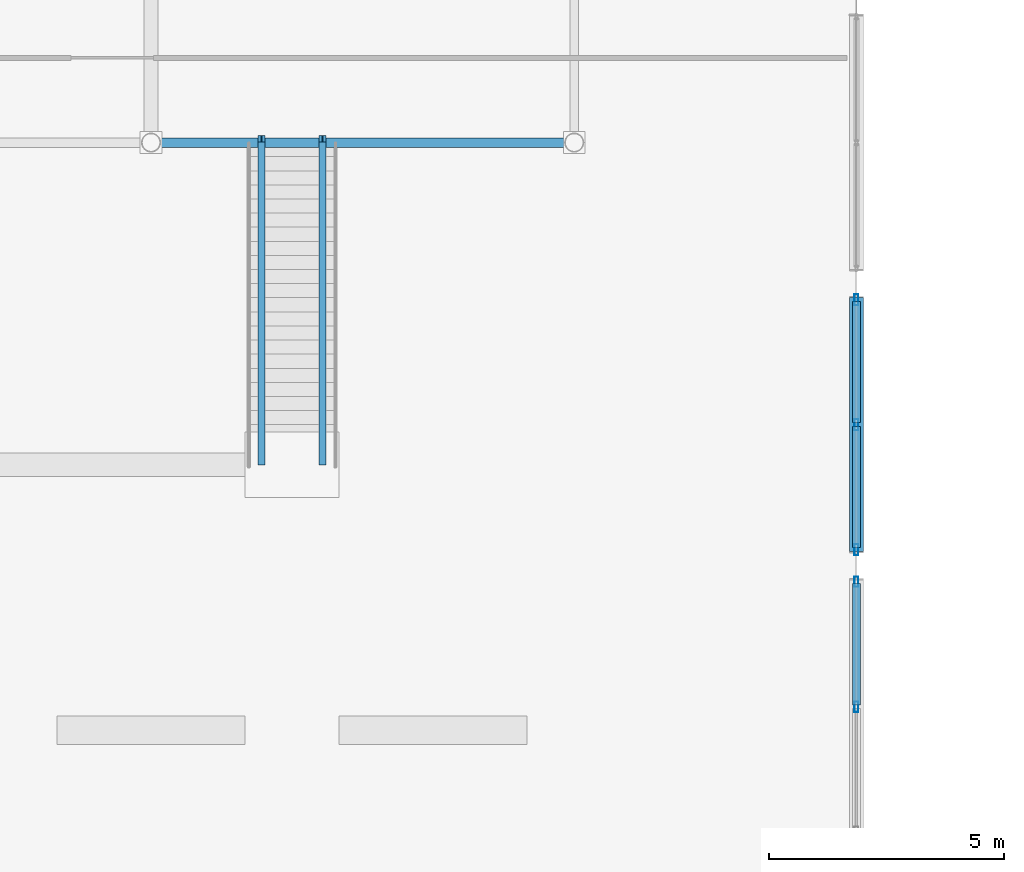
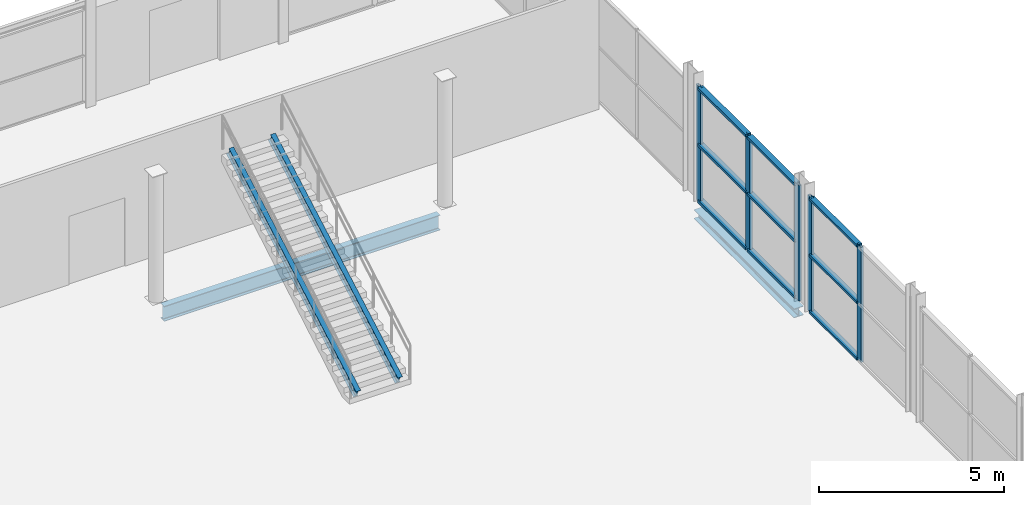
# One storey, part 35 of 140: 16 members, 2 beams, 2 elements without a shape of their own.
"""IFC4 building model written with IfcOpenShell, lengths in metres."""

from ifc_helpers import new_model, si_unit, direction, frame, origin, origin_2d, place, context, subcontext, project, spatial, hollow_rectangle, i_section, extrude, material, layer, layer_set, material_profile, profile_set, type_object, element, aggregate, save


model = new_model("IFC4")

# Units and contexts
model_context = context("Model", 3, precision=1e-05, world=origin(), true_north=direction((0.0, 1.0)))
body_context = subcontext(model_context, "Body", "Model", "MODEL_VIEW")
ifc_project = project(units=[si_unit("LENGTHUNIT", "METRE"), si_unit("AREAUNIT", "SQUARE_METRE"), si_unit("VOLUMEUNIT", "CUBIC_METRE"), si_unit("PLANEANGLEUNIT", "RADIAN"), si_unit("MASSUNIT", "GRAM", prefix="KILO")], contexts=[model_context])

# Site, building, storey
site_placement = place(None, origin())
site = spatial("IfcSite", under=ifc_project, at=site_placement, CompositionType="ELEMENT")
building_placement = place(site_placement, origin())
building = spatial("IfcBuilding", under=site, at=building_placement, Name="Deido Ridge Mobility Hub", CompositionType="ELEMENT")
storey_placement = place(building_placement, origin())
storey = spatial("IfcBuildingStorey", under=building, at=storey_placement, Name="L00", CompositionType="ELEMENT", Elevation=0.0)

# Beam
ifc_material_1 = material(Name="Steel S355J2 EN 10025-2", Category="steel")
ifc_material_profile_1 = material_profile(ifc_material_1, i_section(OverallWidth=0.199951171875, OverallDepth=0.5, WebThickness=0.01025390625, FlangeThickness=0.01611328125, FilletRadius=0.02099609375, at=origin_2d()), Name="IPE 500")
ifc_profile_set_1 = profile_set([ifc_material_profile_1], Name="Steel S355J2 EN 10025-2")
beam_type_1 = type_object("IfcBeamType", Name="BM-IPE500", PredefinedType="BEAM", material=ifc_profile_set_1)
beam_1_placement = place(storey_placement, frame((45.203125, 27.0, -0.510009765625), z_axis=(1.0, 0.0, 0.0), x_axis=(0.0, 1.0, 0.0)))
element("IfcBeam", 1, at=beam_1_placement, inside=storey, type_object=beam_type_1, Name="Floor beam B3", PredefinedType="BEAM", context=body_context, shape_type="SweptSolid", body=[
    extrude(i_section(OverallWidth=0.199951171875, OverallDepth=0.5, WebThickness=0.01025390625, FlangeThickness=0.01611328125, FilletRadius=0.02099609375, at=origin_2d()), origin(), (0.0, 0.0, 1.0), 8.59375),
])

# Curtain wall, members
ifc_material_2 = material(Name="Anodised aluminium EN AW-6063 T6", Category="aluminium")
ifc_layer_1 = layer(ifc_material_2, 0.27001953125, Name="Anodised aluminium EN AW-6063 T6")
ifc_layer_set_1 = layer_set([ifc_layer_1], Name="Anodised aluminium EN AW-6063 T6")
curtain_wall_type_1 = type_object("IfcCurtainWallType", Name="CW-UF-8", PredefinedType="USERDEFINED", material=ifc_layer_set_1)
curtain_wall_1_placement = place(storey_placement, origin())
curtain_wall_1 = element("IfcCurtainWall", 2, at=curtain_wall_1_placement, inside=storey, type_object=curtain_wall_type_1, Name="Unitised curtain wall CW8", ObjectType="UNITISED FACADE", PredefinedType="USERDEFINED")
ifc_material_profile_2 = material_profile(ifc_material_2, hollow_rectangle(XDim=0.080078125, YDim=0.219970703125, WallThickness=0.00390625, at=origin_2d()), Name="RHS 80x220x4")
ifc_profile_set_2 = profile_set([ifc_material_profile_2], Name="Anodised aluminium EN AW-6063 T6")
member_type_1 = type_object("IfcMemberType", Name="MEM-MUL-80X220", PredefinedType="MULLION", material=ifc_profile_set_2)
member_1_placement = place(storey_placement, frame((60.0, 15.0, 0.0), z_axis=(0.0, 0.0, 1.0), x_axis=(-1.0, 0.0, 0.0)))
member_1 = element("IfcMember", 3, at=member_1_placement, type_object=member_type_1, Name="CW8 mullion 2", PredefinedType="MULLION", context=body_context, shape_type="SweptSolid", body=[
    extrude(hollow_rectangle(XDim=0.080078125, YDim=0.219970703125, WallThickness=0.00390625, at=origin_2d()), origin(), (0.0, 0.0, 1.0), 3.800048828125),
])
member_2_placement = place(storey_placement, frame((60.0, 17.659912109375, 0.0), z_axis=(0.0, 0.0, 1.0), x_axis=(-1.0, 0.0, 0.0)))
member_2 = element("IfcMember", 4, at=member_2_placement, type_object=member_type_1, Name="CW8 mullion 3", PredefinedType="MULLION", context=body_context, shape_type="SweptSolid", body=[
    extrude(hollow_rectangle(XDim=0.080078125, YDim=0.219970703125, WallThickness=0.00390625, at=origin_2d()), origin(), (0.0, 0.0, 1.0), 3.800048828125),
])

ifc_layer_2 = layer(ifc_material_2, 0.1650390625, Name="Anodised aluminium EN AW-6063 T6")
ifc_layer_set_2 = layer_set([ifc_layer_2], Name="Anodised aluminium EN AW-6063 T6")
curtain_wall_type_2 = type_object("IfcCurtainWallType", Name="CW-UF-1", PredefinedType="USERDEFINED", material=ifc_layer_set_2)
curtain_wall_2_placement = place(storey_placement, origin())
curtain_wall_2 = element("IfcCurtainWall", 5, at=curtain_wall_2_placement, inside=storey, type_object=curtain_wall_type_2, Name="Unitised curtain wall CW1", ObjectType="UNITISED FACADE", PredefinedType="USERDEFINED")
ifc_material_profile_3 = material_profile(ifc_material_2, hollow_rectangle(XDim=0.0849609375, YDim=0.235107421875, WallThickness=0.00390625, at=origin_2d()), Name="RHS 85x235x4")
ifc_profile_set_3 = profile_set([ifc_material_profile_3], Name="Anodised aluminium EN AW-6063 T6")
member_type_2 = type_object("IfcMemberType", Name="MEM-MUL-85X235", PredefinedType="MULLION", material=ifc_profile_set_3)
member_3_placement = place(storey_placement, frame((60.0, 18.342529296875, 0.0), z_axis=(0.0, 0.0, 1.0), x_axis=(-1.0, 0.0, 0.0)))
member_3 = element("IfcMember", 6, at=member_3_placement, type_object=member_type_2, Name="CW1 mullion 1", PredefinedType="MULLION", context=body_context, shape_type="SweptSolid", body=[
    extrude(hollow_rectangle(XDim=0.0849609375, YDim=0.235107421875, WallThickness=0.00390625, at=origin_2d()), origin(), (0.0, 0.0, 1.0), 3.800048828125),
])
member_4_placement = place(storey_placement, frame((60.0, 21.0, 0.0), z_axis=(0.0, 0.0, 1.0), x_axis=(-1.0, 0.0, 0.0)))
member_4 = element("IfcMember", 7, at=member_4_placement, type_object=member_type_2, Name="CW1 mullion 2", PredefinedType="MULLION", context=body_context, shape_type="SweptSolid", body=[
    extrude(hollow_rectangle(XDim=0.0849609375, YDim=0.235107421875, WallThickness=0.00390625, at=origin_2d()), origin(), (0.0, 0.0, 1.0), 3.800048828125),
])
member_5_placement = place(storey_placement, frame((60.0, 23.657470703125, 0.0), z_axis=(0.0, 0.0, 1.0), x_axis=(-1.0, 0.0, 0.0)))
member_5 = element("IfcMember", 8, at=member_5_placement, type_object=member_type_2, Name="CW1 mullion 3", PredefinedType="MULLION", context=body_context, shape_type="SweptSolid", body=[
    extrude(hollow_rectangle(XDim=0.0849609375, YDim=0.235107421875, WallThickness=0.00390625, at=origin_2d()), origin(), (0.0, 0.0, 1.0), 3.800048828125),
])

# Members
ifc_material_profile_4 = material_profile(ifc_material_1, i_section(OverallWidth=0.14990234375, OverallDepth=0.300048828125, WebThickness=0.007080078125, FlangeThickness=0.0107421875, FilletRadius=0.014892578125, at=origin_2d()), Name="IPE 300")
ifc_profile_set_4 = profile_set([ifc_material_profile_4], Name="Steel S355J2 EN 10025-2")
member_type_3 = type_object("IfcMemberType", Name="MEM-STG-IPE300", PredefinedType="STRINGER", material=ifc_profile_set_4)
for number, where, z_axis, x_axis, name in (
    (9, (47.35009765625, 20.219970703125, 0.1650390625), (0.0, 0.871783430325, 0.489891468196), (-1.0, 0.0, 0.0), "Concourse stair steel stringer SG1"),
    (10, (48.64990234375, 20.219970703125, 0.1650390625), (0.0, 0.871783430325, 0.489891468196), (-1.0, 0.0, 0.0), "Concourse stair steel stringer SG1"),
):
    element("IfcMember", number, at=place(storey_placement, frame(where, z_axis=z_axis, x_axis=x_axis)), inside=storey, type_object=member_type_3, Name=name, PredefinedType="STRINGER", context=body_context, shape_type="SweptSolid", body=[
        extrude(i_section(OverallWidth=0.14990234375, OverallDepth=0.300048828125, WebThickness=0.007080078125, FlangeThickness=0.0107421875, FilletRadius=0.014892578125, at=origin_2d()), origin(), (0.0, 0.0, 1.0), 7.869140625),
    ])

# Member
ifc_material_profile_5 = material_profile(ifc_material_2, hollow_rectangle(XDim=0.1650390625, YDim=0.080078125, WallThickness=0.00390625, at=origin_2d()), Name="RHS 165x80x4")
ifc_profile_set_5 = profile_set([ifc_material_profile_5], Name="Anodised aluminium EN AW-6063 T6")
member_type_4 = type_object("IfcMemberType", Name="MEM-TRN-165X80", PredefinedType="USERDEFINED", material=ifc_profile_set_5)
member_6_placement = place(storey_placement, frame((60.0, 15.0400390625, 0.0400390625), z_axis=(0.0, 1.0, 0.0), x_axis=(-1.0, 0.0, 0.0)))
member_6 = element("IfcMember", 11, at=member_6_placement, type_object=member_type_4, Name="CW8 transom 2.1", ObjectType="TRANSOM", PredefinedType="USERDEFINED", context=body_context, shape_type="SweptSolid", body=[
    extrude(hollow_rectangle(XDim=0.1650390625, YDim=0.080078125, WallThickness=0.00390625, at=origin_2d()), origin(), (0.0, 0.0, 1.0), 2.580078125),
])

member_7_placement = place(storey_placement, frame((60.0, 15.0400390625, 1.89990234375), z_axis=(0.0, 1.0, 0.0), x_axis=(-1.0, 0.0, 0.0)))
member_7 = element("IfcMember", 12, at=member_7_placement, type_object=member_type_4, Name="CW8 transom 2.2", ObjectType="TRANSOM", PredefinedType="USERDEFINED", context=body_context, shape_type="SweptSolid", body=[
    extrude(hollow_rectangle(XDim=0.1650390625, YDim=0.080078125, WallThickness=0.00390625, at=origin_2d()), origin(), (0.0, 0.0, 1.0), 2.580078125),
])

member_8_placement = place(storey_placement, frame((60.0, 15.0400390625, 3.760009765625), z_axis=(0.0, 1.0, 0.0), x_axis=(-1.0, 0.0, 0.0)))
member_8 = element("IfcMember", 13, at=member_8_placement, type_object=member_type_4, Name="CW8 transom 2.3", ObjectType="TRANSOM", PredefinedType="USERDEFINED", context=body_context, shape_type="SweptSolid", body=[
    extrude(hollow_rectangle(XDim=0.1650390625, YDim=0.080078125, WallThickness=0.00390625, at=origin_2d()), origin(), (0.0, 0.0, 1.0), 2.580078125),
])

aggregate(curtain_wall_1, [member_1, member_2, member_6, member_7, member_8])

ifc_material_profile_6 = material_profile(ifc_material_2, hollow_rectangle(XDim=0.175048828125, YDim=0.0849609375, WallThickness=0.00390625, at=origin_2d()), Name="RHS 175x85x4")
ifc_profile_set_6 = profile_set([ifc_material_profile_6], Name="Anodised aluminium EN AW-6063 T6")
member_type_5 = type_object("IfcMemberType", Name="MEM-TRN-175X85", PredefinedType="USERDEFINED", material=ifc_profile_set_6)
member_9_placement = place(storey_placement, frame((60.0, 18.385009765625, 0.04248046875), z_axis=(0.0, 1.0, 0.0), x_axis=(-1.0, 0.0, 0.0)))
member_9 = element("IfcMember", 14, at=member_9_placement, type_object=member_type_5, Name="CW1 transom 1.1", ObjectType="TRANSOM", PredefinedType="USERDEFINED", context=body_context, shape_type="SweptSolid", body=[
    extrude(hollow_rectangle(XDim=0.175048828125, YDim=0.0849609375, WallThickness=0.00390625, at=origin_2d()), origin(), (0.0, 0.0, 1.0), 2.572509765625),
])

member_10_placement = place(storey_placement, frame((60.0, 18.385009765625, 1.89990234375), z_axis=(0.0, 1.0, 0.0), x_axis=(-1.0, 0.0, 0.0)))
member_10 = element("IfcMember", 15, at=member_10_placement, type_object=member_type_5, Name="CW1 transom 1.2", ObjectType="TRANSOM", PredefinedType="USERDEFINED", context=body_context, shape_type="SweptSolid", body=[
    extrude(hollow_rectangle(XDim=0.175048828125, YDim=0.0849609375, WallThickness=0.00390625, at=origin_2d()), origin(), (0.0, 0.0, 1.0), 2.572509765625),
])

member_11_placement = place(storey_placement, frame((60.0, 18.385009765625, 3.757568359375), z_axis=(0.0, 1.0, 0.0), x_axis=(-1.0, 0.0, 0.0)))
member_11 = element("IfcMember", 16, at=member_11_placement, type_object=member_type_5, Name="CW1 transom 1.3", ObjectType="TRANSOM", PredefinedType="USERDEFINED", context=body_context, shape_type="SweptSolid", body=[
    extrude(hollow_rectangle(XDim=0.175048828125, YDim=0.0849609375, WallThickness=0.00390625, at=origin_2d()), origin(), (0.0, 0.0, 1.0), 2.572509765625),
])

member_12_placement = place(storey_placement, frame((60.0, 21.04248046875, 0.04248046875), z_axis=(0.0, 1.0, 0.0), x_axis=(-1.0, 0.0, 0.0)))
member_12 = element("IfcMember", 17, at=member_12_placement, type_object=member_type_5, Name="CW1 transom 2.1", ObjectType="TRANSOM", PredefinedType="USERDEFINED", context=body_context, shape_type="SweptSolid", body=[
    extrude(hollow_rectangle(XDim=0.175048828125, YDim=0.0849609375, WallThickness=0.00390625, at=origin_2d()), origin(), (0.0, 0.0, 1.0), 2.572509765625),
])

member_13_placement = place(storey_placement, frame((60.0, 21.04248046875, 1.89990234375), z_axis=(0.0, 1.0, 0.0), x_axis=(-1.0, 0.0, 0.0)))
member_13 = element("IfcMember", 18, at=member_13_placement, type_object=member_type_5, Name="CW1 transom 2.2", ObjectType="TRANSOM", PredefinedType="USERDEFINED", context=body_context, shape_type="SweptSolid", body=[
    extrude(hollow_rectangle(XDim=0.175048828125, YDim=0.0849609375, WallThickness=0.00390625, at=origin_2d()), origin(), (0.0, 0.0, 1.0), 2.572509765625),
])

member_14_placement = place(storey_placement, frame((60.0, 21.04248046875, 3.757568359375), z_axis=(0.0, 1.0, 0.0), x_axis=(-1.0, 0.0, 0.0)))
member_14 = element("IfcMember", 19, at=member_14_placement, type_object=member_type_5, Name="CW1 transom 2.3", ObjectType="TRANSOM", PredefinedType="USERDEFINED", context=body_context, shape_type="SweptSolid", body=[
    extrude(hollow_rectangle(XDim=0.175048828125, YDim=0.0849609375, WallThickness=0.00390625, at=origin_2d()), origin(), (0.0, 0.0, 1.0), 2.572509765625),
])

aggregate(curtain_wall_2, [member_3, member_4, member_5, member_9, member_10, member_11, member_12, member_13, member_14])

# Beam
ifc_material_profile_7 = material_profile(ifc_material_1, i_section(OverallWidth=0.300048828125, OverallDepth=0.300048828125, WebThickness=0.010986328125, FlangeThickness=0.01904296875, FilletRadius=0.027099609375, at=origin_2d()), Name="HEB 300")
ifc_profile_set_7 = profile_set([ifc_material_profile_7], Name="Steel S355J2 EN 10025-2")
beam_type_2 = type_object("IfcBeamType", Name="SPD-HEB300", PredefinedType="SPANDREL", material=ifc_profile_set_7)
beam_2_placement = place(storey_placement, frame((60.0, 18.300048828125, -0.409912109375), z_axis=(0.0, 1.0, 0.0), x_axis=(-1.0, 0.0, 0.0)))
element("IfcBeam", 20, at=beam_2_placement, inside=storey, type_object=beam_type_2, Name="Floor beam SP1", PredefinedType="SPANDREL", context=body_context, shape_type="SweptSolid", body=[
    extrude(i_section(OverallWidth=0.300048828125, OverallDepth=0.300048828125, WebThickness=0.010986328125, FlangeThickness=0.01904296875, FilletRadius=0.027099609375, at=origin_2d()), origin(), (0.0, 0.0, 1.0), 5.39990234375),
])

save(model, "model.ifc")
